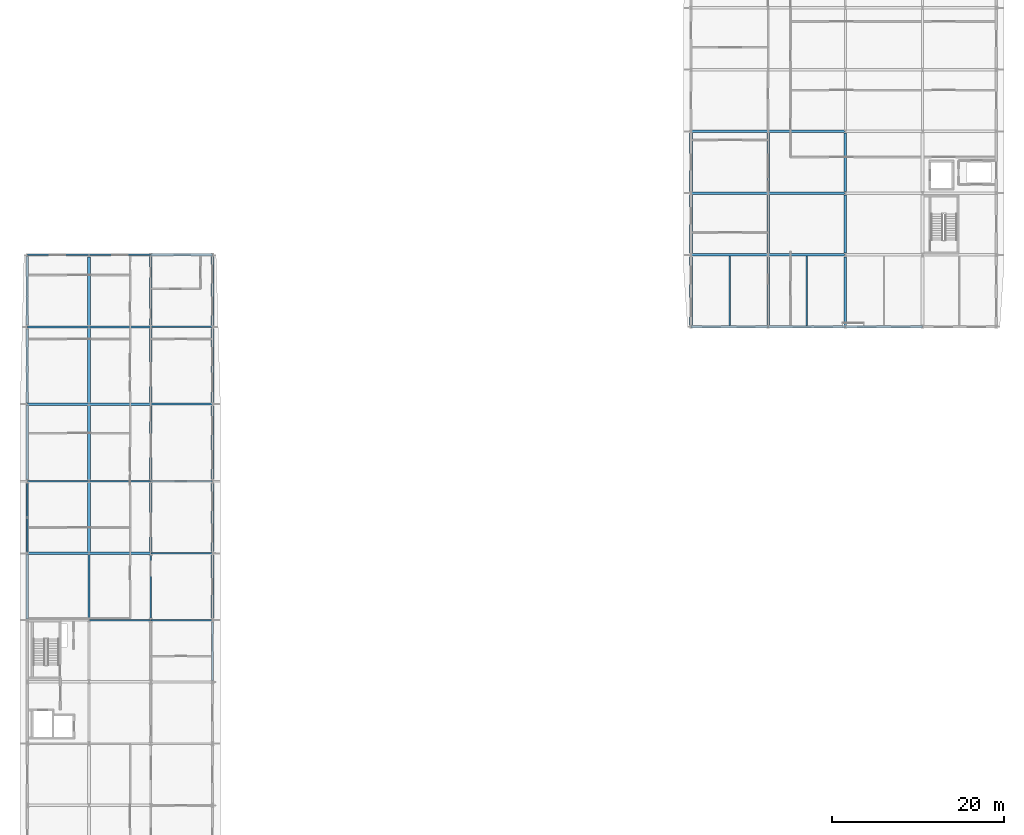
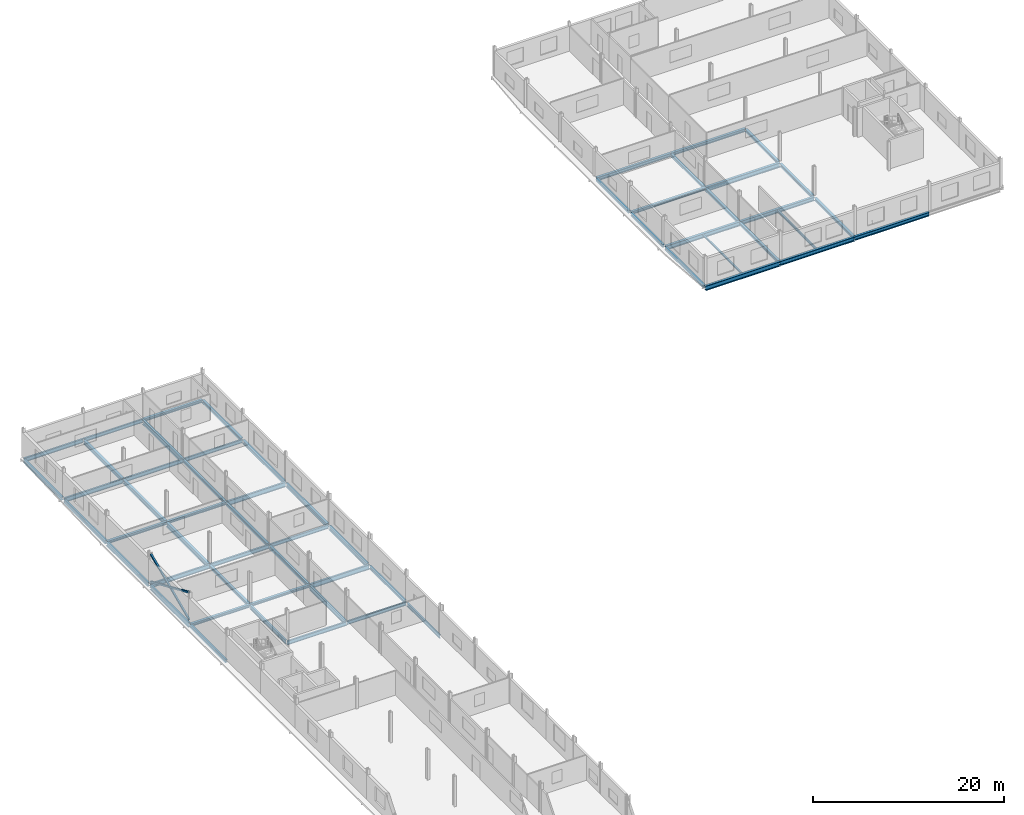
# One storey, part 10 of 30: 58 beams, 3 members.
"""IFC4 building model written with IfcOpenShell, lengths in metres."""

from ifc_helpers import new_model, si_unit, direction, frame, origin, origin_2d, place, context, subcontext, project, spatial, hollow_rectangle, i_section, extrude, material, material_profile, profile_set, type_object, element, save


model = new_model("IFC4")

# Units and contexts
model_context = context("Model", 3, precision=1e-05, world=origin(), true_north=direction((0.0, 1.0)))
body_context = subcontext(model_context, "Body", "Model", "MODEL_VIEW")
ifc_project = project(units=[si_unit("LENGTHUNIT", "METRE"), si_unit("AREAUNIT", "SQUARE_METRE"), si_unit("VOLUMEUNIT", "CUBIC_METRE"), si_unit("PLANEANGLEUNIT", "RADIAN"), si_unit("MASSUNIT", "GRAM", prefix="KILO")], contexts=[model_context])

# Site, building, storey
site_placement = place(None, origin())
site = spatial("IfcSite", under=ifc_project, at=site_placement, CompositionType="ELEMENT")
building_placement = place(site_placement, origin())
building = spatial("IfcBuilding", under=site, at=building_placement, Name="Vinh Khe Railworks Police Headquarters", CompositionType="ELEMENT")
storey_placement = place(building_placement, frame((0.0, 0.0, 21.0)))
storey = spatial("IfcBuildingStorey", under=building, at=storey_placement, Name="L05", CompositionType="ELEMENT", Elevation=21.0)

# Members
ifc_material = material(Name="Steel S355JR", Category="steel")
ifc_material_profile_1 = material_profile(ifc_material, hollow_rectangle(XDim=0.199951171875, YDim=0.199951171875, WallThickness=0.012451171875, at=origin_2d()), Name="SHS 200x200x12.5")
ifc_profile_set_1 = profile_set([ifc_material_profile_1], Name="Steel S355JR")
member_type = type_object("IfcMemberType", Name="Concentric Brace SHS 200x200x12.5", PredefinedType="BRACE", material=ifc_profile_set_1)
member_placement = place(storey_placement, frame((0.60009765625, 96.14990234375, 0.199951171875), z_axis=(0.0, 0.916524501714, 0.399978546623), x_axis=(-1.0, 0.0, 0.0)))
element("IfcMember", 1, at=member_placement, inside=storey, type_object=member_type, Name="Continuous Concentric Brace MEM-BR-L05-BR-01-040", PredefinedType="BRACE", context=body_context, shape_type="SweptSolid", body=[
    extrude(hollow_rectangle(XDim=0.199951171875, YDim=0.199951171875, WallThickness=0.012451171875, at=origin_2d()), origin(), (0.0, 0.0, 1.0), 8.75048828125),
])
for number, where, z_axis, x_axis, name in (
    (2, (0.60009765625, 96.14990234375, 3.699951171875), (0.0, 0.916541283123, -0.399940090927), (-1.0, 0.0, 0.0), "Split X-Brace Segment MEM-BR-L05-BR-01-041 (2A)"),
    (3, (0.60009765625, 100.25537109375, 1.908447265625), (0.0, 0.916511184752, -0.400009060178), (-1.0, 0.0, 0.0), "Split X-Brace Segment MEM-BR-L05-BR-01-042 (2B)"),
):
    element("IfcMember", number, at=place(storey_placement, frame(where, z_axis=z_axis, x_axis=x_axis)), inside=storey, type_object=member_type, Name=name, PredefinedType="BRACE", context=body_context, shape_type="SweptSolid", body=[
        extrude(hollow_rectangle(XDim=0.199951171875, YDim=0.199951171875, WallThickness=0.012451171875, at=origin_2d()), origin(), (0.0, 0.0, 1.0), 4.271240234375),
    ])

# Beams
ifc_material_profile_2 = material_profile(ifc_material, i_section(OverallWidth=0.179931640625, OverallDepth=0.1708984375, WebThickness=0.006103515625, FlangeThickness=0.009521484375, FilletRadius=0.014892578125, at=origin_2d()), Name="HEA 180")
ifc_profile_set_2 = profile_set([ifc_material_profile_2], Name="Steel S355JR")
beam_type_1 = type_object("IfcBeamType", Name="Secondary Joist HEA 180", PredefinedType="JOIST", material=ifc_profile_set_2)
beam_1_placement = place(storey_placement, frame((82.5, 122.550048828125, -0.285400390625), z_axis=(0.0, 1.0, 0.0), x_axis=(-1.0, 0.0, 0.0)))
element("IfcBeam", 4, at=beam_1_placement, inside=storey, type_object=beam_type_1, Name="Secondary Joist JST-L05-SJ-10-0041", PredefinedType="JOIST", context=body_context, shape_type="SweptSolid", body=[
    extrude(i_section(OverallWidth=0.179931640625, OverallDepth=0.1708984375, WebThickness=0.006103515625, FlangeThickness=0.009521484375, FilletRadius=0.014892578125, at=origin_2d()), origin(), (0.0, 0.0, 1.0), 8.099853515625),
])
ifc_material_profile_3 = material_profile(ifc_material, i_section(OverallWidth=0.14990234375, OverallDepth=0.300048828125, WebThickness=0.007080078125, FlangeThickness=0.0107421875, FilletRadius=0.014892578125, at=origin_2d()), Name="IPE 300")
ifc_profile_set_3 = profile_set([ifc_material_profile_3], Name="Steel S355JR")
beam_type_2 = type_object("IfcBeamType", Name="Secondary Joist IPE 300", PredefinedType="JOIST", material=ifc_profile_set_3)
beam_2_placement = place(storey_placement, frame((91.5, 122.550048828125, -0.35009765625), z_axis=(0.0, 1.0, 0.0), x_axis=(-1.0, 0.0, 0.0)))
element("IfcBeam", 5, at=beam_2_placement, inside=storey, type_object=beam_type_2, Name="Secondary Joist JST-L05-SJ-02-0042", PredefinedType="JOIST", context=body_context, shape_type="SweptSolid", body=[
    extrude(i_section(OverallWidth=0.14990234375, OverallDepth=0.300048828125, WebThickness=0.007080078125, FlangeThickness=0.0107421875, FilletRadius=0.014892578125, at=origin_2d()), origin(), (0.0, 0.0, 1.0), 8.099853515625),
])
ifc_material_profile_4 = material_profile(ifc_material, i_section(OverallWidth=0.300048828125, OverallDepth=0.330078125, WebThickness=0.009521484375, FlangeThickness=0.0166015625, FilletRadius=0.027099609375, at=origin_2d()), Name="HEA 340")
ifc_profile_set_4 = profile_set([ifc_material_profile_4], Name="Steel S355JR")
beam_type_3 = type_object("IfcBeamType", Name="Steel Girder HEA 340", PredefinedType="BEAM", material=ifc_profile_set_4)
for number, where, z_axis, x_axis, name in (
    (6, (7.820068359375, 96.0, -0.364990234375), (1.0, 0.0, 0.0), (0.0, 1.0, 0.0), "Girder BM-L05-EW-SB-16-1532"),
    (7, (7.820068359375, 113.39990234375, -0.364990234375), (1.0, 0.0, 0.0), (0.0, 1.0, 0.0), "Girder BM-L05-EW-SB-16-1538"),
):
    element("IfcBeam", number, at=place(storey_placement, frame(where, z_axis=z_axis, x_axis=x_axis)), inside=storey, type_object=beam_type_3, Name=name, PredefinedType="BEAM", context=body_context, shape_type="SweptSolid", body=[
        extrude(i_section(OverallWidth=0.300048828125, OverallDepth=0.330078125, WebThickness=0.009521484375, FlangeThickness=0.0166015625, FilletRadius=0.027099609375, at=origin_2d()), origin(), (0.0, 0.0, 1.0), 7.159912109375),
    ])
for number, where, z_axis, x_axis, name in (
    (8, (78.0, 138.199951171875, -0.364990234375), (0.0, 1.0, 0.0), (-1.0, 0.0, 0.0), "Girder BM-L05-NS-SB-16-1640"),
    (9, (87.0, 138.199951171875, -0.364990234375), (0.0, 1.0, 0.0), (-1.0, 0.0, 0.0), "Girder BM-L05-NS-SB-16-1646"),
    (10, (96.0, 138.199951171875, -0.364990234375), (0.0, 1.0, 0.0), (-1.0, 0.0, 0.0), "Girder BM-L05-NS-SB-16-1652"),
):
    element("IfcBeam", number, at=place(storey_placement, frame(where, z_axis=z_axis, x_axis=x_axis)), inside=storey, type_object=beam_type_3, Name=name, PredefinedType="BEAM", context=body_context, shape_type="SweptSolid", body=[
        extrude(i_section(OverallWidth=0.300048828125, OverallDepth=0.330078125, WebThickness=0.009521484375, FlangeThickness=0.0166015625, FilletRadius=0.027099609375, at=origin_2d()), origin(), (0.0, 0.0, 1.0), 6.824951171875),
    ])
ifc_material_profile_5 = material_profile(ifc_material, i_section(OverallWidth=0.300048828125, OverallDepth=0.35009765625, WebThickness=0.010009765625, FlangeThickness=0.017578125, FilletRadius=0.027099609375, at=origin_2d()), Name="HEA 360")
ifc_profile_set_5 = profile_set([ifc_material_profile_5], Name="Steel S355JR")
beam_type_4 = type_object("IfcBeamType", Name="Steel Girder HEA 360", PredefinedType="BEAM", material=ifc_profile_set_5)
for number, where, z_axis, x_axis, name in (
    (11, (0.6201171875, 96.0, -0.375), (1.0, 0.0, 0.0), (0.0, 1.0, 0.0), "Girder BM-L05-EW-SB-15-1531"),
    (12, (0.6201171875, 113.39990234375, -0.375), (1.0, 0.0, 0.0), (0.0, 1.0, 0.0), "Girder BM-L05-EW-SB-15-1537"),
    (13, (15.02001953125, 130.800048828125, -0.375), (1.0, 0.0, 0.0), (0.0, 1.0, 0.0), "Girder BM-L05-EW-SB-15-1549"),
):
    element("IfcBeam", number, at=place(storey_placement, frame(where, z_axis=z_axis, x_axis=x_axis)), inside=storey, type_object=beam_type_4, Name=name, PredefinedType="BEAM", context=body_context, shape_type="SweptSolid", body=[
        extrude(i_section(OverallWidth=0.300048828125, OverallDepth=0.35009765625, WebThickness=0.010009765625, FlangeThickness=0.017578125, FilletRadius=0.027099609375, at=origin_2d()), origin(), (0.0, 0.0, 1.0), 7.159912109375),
    ])
beam_3_placement = place(storey_placement, frame((78.02001953125, 138.0, -0.375), z_axis=(1.0, 0.0, 0.0), x_axis=(0.0, 1.0, 0.0)))
element("IfcBeam", 14, at=beam_3_placement, inside=storey, type_object=beam_type_4, Name="Girder BM-L05-EW-SB-15-1554", PredefinedType="BEAM", context=body_context, shape_type="SweptSolid", body=[
    extrude(i_section(OverallWidth=0.300048828125, OverallDepth=0.35009765625, WebThickness=0.010009765625, FlangeThickness=0.017578125, FilletRadius=0.027099609375, at=origin_2d()), origin(), (0.0, 0.0, 1.0), 8.9599609375),
])
beam_4_placement = place(storey_placement, frame((0.60009765625, 88.360107421875, -0.375), z_axis=(0.0, 1.0, 0.0), x_axis=(-1.0, 0.0, 0.0)))
element("IfcBeam", 15, at=beam_4_placement, inside=storey, type_object=beam_type_4, Name="Girder BM-L05-NS-SB-15-1585", PredefinedType="BEAM", context=body_context, shape_type="SweptSolid", body=[
    extrude(i_section(OverallWidth=0.300048828125, OverallDepth=0.35009765625, WebThickness=0.010009765625, FlangeThickness=0.017578125, FilletRadius=0.027099609375, at=origin_2d()), origin(), (0.0, 0.0, 1.0), 7.489990234375),
])
beam_5_placement = place(storey_placement, frame((7.800048828125, 96.159912109375, -0.375), z_axis=(0.0, 1.0, 0.0), x_axis=(-1.0, 0.0, 0.0)))
element("IfcBeam", 16, at=beam_5_placement, inside=storey, type_object=beam_type_4, Name="Girder BM-L05-NS-SB-15-1602", PredefinedType="BEAM", context=body_context, shape_type="SweptSolid", body=[
    extrude(i_section(OverallWidth=0.300048828125, OverallDepth=0.35009765625, WebThickness=0.010009765625, FlangeThickness=0.017578125, FilletRadius=0.027099609375, at=origin_2d()), origin(), (0.0, 0.0, 1.0), 8.090087890625),
])
beam_6_placement = place(storey_placement, frame((15.0, 113.574951171875, -0.375), z_axis=(0.0, 1.0, 0.0), x_axis=(-1.0, 0.0, 0.0)))
element("IfcBeam", 17, at=beam_6_placement, inside=storey, type_object=beam_type_4, Name="Girder BM-L05-NS-SB-15-1620", PredefinedType="BEAM", context=body_context, shape_type="SweptSolid", body=[
    extrude(i_section(OverallWidth=0.300048828125, OverallDepth=0.35009765625, WebThickness=0.010009765625, FlangeThickness=0.017578125, FilletRadius=0.027099609375, at=origin_2d()), origin(), (0.0, 0.0, 1.0), 8.695068359375),
])
beam_7_placement = place(storey_placement, frame((22.199951171875, 88.429931640625, -0.375), z_axis=(0.0, 1.0, 0.0), x_axis=(-1.0, 0.0, 0.0)))
element("IfcBeam", 18, at=beam_7_placement, inside=storey, type_object=beam_type_4, Name="Girder BM-L05-NS-SB-15-1633", PredefinedType="BEAM", context=body_context, shape_type="SweptSolid", body=[
    extrude(i_section(OverallWidth=0.300048828125, OverallDepth=0.35009765625, WebThickness=0.010009765625, FlangeThickness=0.017578125, FilletRadius=0.027099609375, at=origin_2d()), origin(), (0.0, 0.0, 1.0), 7.364990234375),
])
beam_8_placement = place(storey_placement, frame((78.0, 122.510009765625, -0.375), z_axis=(0.0, 1.0, 0.0), x_axis=(-1.0, 0.0, 0.0)))
element("IfcBeam", 19, at=beam_8_placement, inside=storey, type_object=beam_type_4, Name="Girder BM-L05-NS-SB-15-1638", PredefinedType="BEAM", context=body_context, shape_type="SweptSolid", body=[
    extrude(i_section(OverallWidth=0.300048828125, OverallDepth=0.35009765625, WebThickness=0.010009765625, FlangeThickness=0.017578125, FilletRadius=0.027099609375, at=origin_2d()), origin(), (0.0, 0.0, 1.0), 8.06494140625),
])
beam_9_placement = place(storey_placement, frame((78.0, 131.02490234375, -0.375), z_axis=(0.0, 1.0, 0.0), x_axis=(-1.0, 0.0, 0.0)))
element("IfcBeam", 20, at=beam_9_placement, inside=storey, type_object=beam_type_4, Name="Girder BM-L05-NS-SB-15-1639", PredefinedType="BEAM", context=body_context, shape_type="SweptSolid", body=[
    extrude(i_section(OverallWidth=0.300048828125, OverallDepth=0.35009765625, WebThickness=0.010009765625, FlangeThickness=0.017578125, FilletRadius=0.027099609375, at=origin_2d()), origin(), (0.0, 0.0, 1.0), 6.775146484375),
])
beam_10_placement = place(storey_placement, frame((87.0, 122.510009765625, -0.375), z_axis=(0.0, 1.0, 0.0), x_axis=(-1.0, 0.0, 0.0)))
element("IfcBeam", 21, at=beam_10_placement, inside=storey, type_object=beam_type_4, Name="Girder BM-L05-NS-SB-15-1644", PredefinedType="BEAM", context=body_context, shape_type="SweptSolid", body=[
    extrude(i_section(OverallWidth=0.300048828125, OverallDepth=0.35009765625, WebThickness=0.010009765625, FlangeThickness=0.017578125, FilletRadius=0.027099609375, at=origin_2d()), origin(), (0.0, 0.0, 1.0), 8.06494140625),
])
beam_11_placement = place(storey_placement, frame((87.0, 131.02490234375, -0.375), z_axis=(0.0, 1.0, 0.0), x_axis=(-1.0, 0.0, 0.0)))
element("IfcBeam", 22, at=beam_11_placement, inside=storey, type_object=beam_type_4, Name="Girder BM-L05-NS-SB-15-1645", PredefinedType="BEAM", context=body_context, shape_type="SweptSolid", body=[
    extrude(i_section(OverallWidth=0.300048828125, OverallDepth=0.35009765625, WebThickness=0.010009765625, FlangeThickness=0.017578125, FilletRadius=0.027099609375, at=origin_2d()), origin(), (0.0, 0.0, 1.0), 6.775146484375),
])
beam_12_placement = place(storey_placement, frame((96.0, 122.510009765625, -0.375), z_axis=(0.0, 1.0, 0.0), x_axis=(-1.0, 0.0, 0.0)))
element("IfcBeam", 23, at=beam_12_placement, inside=storey, type_object=beam_type_4, Name="Girder BM-L05-NS-SB-15-1650", PredefinedType="BEAM", context=body_context, shape_type="SweptSolid", body=[
    extrude(i_section(OverallWidth=0.300048828125, OverallDepth=0.35009765625, WebThickness=0.010009765625, FlangeThickness=0.017578125, FilletRadius=0.027099609375, at=origin_2d()), origin(), (0.0, 0.0, 1.0), 8.06494140625),
])
beam_13_placement = place(storey_placement, frame((96.0, 131.02490234375, -0.375), z_axis=(0.0, 1.0, 0.0), x_axis=(-1.0, 0.0, 0.0)))
element("IfcBeam", 24, at=beam_13_placement, inside=storey, type_object=beam_type_4, Name="Girder BM-L05-NS-SB-15-1651", PredefinedType="BEAM", context=body_context, shape_type="SweptSolid", body=[
    extrude(i_section(OverallWidth=0.300048828125, OverallDepth=0.35009765625, WebThickness=0.010009765625, FlangeThickness=0.017578125, FilletRadius=0.027099609375, at=origin_2d()), origin(), (0.0, 0.0, 1.0), 6.775146484375),
])
ifc_material_profile_6 = material_profile(ifc_material, i_section(OverallWidth=0.300048828125, OverallDepth=0.389892578125, WebThickness=0.010986328125, FlangeThickness=0.01904296875, FilletRadius=0.027099609375, at=origin_2d()), Name="HEA 400")
ifc_profile_set_6 = profile_set([ifc_material_profile_6], Name="Steel S355JR")
beam_type_5 = type_object("IfcBeamType", Name="Steel Girder HEA 400", PredefinedType="BEAM", material=ifc_profile_set_6)
beam_14_placement = place(storey_placement, frame((87.02001953125, 145.199951171875, -0.39501953125), z_axis=(1.0, 0.0, 0.0), x_axis=(0.0, 1.0, 0.0)))
element("IfcBeam", 25, at=beam_14_placement, inside=storey, type_object=beam_type_5, Name="Girder BM-L05-EW-SB-14-1559", PredefinedType="BEAM", context=body_context, shape_type="SweptSolid", body=[
    extrude(i_section(OverallWidth=0.300048828125, OverallDepth=0.389892578125, WebThickness=0.010986328125, FlangeThickness=0.01904296875, FilletRadius=0.027099609375, at=origin_2d()), origin(), (0.0, 0.0, 1.0), 8.9599609375),
])
beam_15_placement = place(storey_placement, frame((0.60009765625, 122.625, -0.39501953125), z_axis=(0.0, 1.0, 0.0), x_axis=(-1.0, 0.0, 0.0)))
element("IfcBeam", 26, at=beam_15_placement, inside=storey, type_object=beam_type_5, Name="Girder BM-L05-NS-SB-14-1589", PredefinedType="BEAM", context=body_context, shape_type="SweptSolid", body=[
    extrude(i_section(OverallWidth=0.300048828125, OverallDepth=0.389892578125, WebThickness=0.010986328125, FlangeThickness=0.01904296875, FilletRadius=0.027099609375, at=origin_2d()), origin(), (0.0, 0.0, 1.0), 7.97509765625),
])
beam_16_placement = place(storey_placement, frame((15.0, 104.56005859375, -0.39501953125), z_axis=(0.0, 1.0, 0.0), x_axis=(-1.0, 0.0, 0.0)))
element("IfcBeam", 27, at=beam_16_placement, inside=storey, type_object=beam_type_5, Name="Girder BM-L05-NS-SB-14-1619", PredefinedType="BEAM", context=body_context, shape_type="SweptSolid", body=[
    extrude(i_section(OverallWidth=0.300048828125, OverallDepth=0.389892578125, WebThickness=0.010986328125, FlangeThickness=0.01904296875, FilletRadius=0.027099609375, at=origin_2d()), origin(), (0.0, 0.0, 1.0), 8.6650390625),
])
beam_17_placement = place(storey_placement, frame((22.199951171875, 122.574951171875, -0.39501953125), z_axis=(0.0, 1.0, 0.0), x_axis=(-1.0, 0.0, 0.0)))
element("IfcBeam", 28, at=beam_17_placement, inside=storey, type_object=beam_type_5, Name="Girder BM-L05-NS-SB-14-1637", PredefinedType="BEAM", context=body_context, shape_type="SweptSolid", body=[
    extrude(i_section(OverallWidth=0.300048828125, OverallDepth=0.389892578125, WebThickness=0.010986328125, FlangeThickness=0.01904296875, FilletRadius=0.027099609375, at=origin_2d()), origin(), (0.0, 0.0, 1.0), 8.094970703125),
])
ifc_material_profile_7 = material_profile(ifc_material, i_section(OverallWidth=0.300048828125, OverallDepth=0.43994140625, WebThickness=0.011474609375, FlangeThickness=0.02099609375, FilletRadius=0.027099609375, at=origin_2d()), Name="HEA 450")
ifc_profile_set_7 = profile_set([ifc_material_profile_7], Name="Steel S355JR")
beam_type_6 = type_object("IfcBeamType", Name="Steel Girder HEA 450", PredefinedType="BEAM", material=ifc_profile_set_7)
beam_18_placement = place(storey_placement, frame((78.02001953125, 145.199951171875, -0.419921875), z_axis=(1.0, 0.0, 0.0), x_axis=(0.0, 1.0, 0.0)))
element("IfcBeam", 29, at=beam_18_placement, inside=storey, type_object=beam_type_6, Name="Girder BM-L05-EW-SB-13-1558", PredefinedType="BEAM", context=body_context, shape_type="SweptSolid", body=[
    extrude(i_section(OverallWidth=0.300048828125, OverallDepth=0.43994140625, WebThickness=0.011474609375, FlangeThickness=0.02099609375, FilletRadius=0.027099609375, at=origin_2d()), origin(), (0.0, 0.0, 1.0), 8.9599609375),
])
beam_19_placement = place(storey_placement, frame((0.60009765625, 113.510009765625, -0.419921875), z_axis=(0.0, 1.0, 0.0), x_axis=(-1.0, 0.0, 0.0)))
element("IfcBeam", 30, at=beam_19_placement, inside=storey, type_object=beam_type_6, Name="Girder BM-L05-NS-SB-13-1588", PredefinedType="BEAM", context=body_context, shape_type="SweptSolid", body=[
    extrude(i_section(OverallWidth=0.300048828125, OverallDepth=0.43994140625, WebThickness=0.011474609375, FlangeThickness=0.02099609375, FilletRadius=0.027099609375, at=origin_2d()), origin(), (0.0, 0.0, 1.0), 8.6650390625),
])
beam_20_placement = place(storey_placement, frame((15.0, 96.179931640625, -0.419921875), z_axis=(0.0, 1.0, 0.0), x_axis=(-1.0, 0.0, 0.0)))
element("IfcBeam", 31, at=beam_20_placement, inside=storey, type_object=beam_type_6, Name="Girder BM-L05-NS-SB-13-1618", PredefinedType="BEAM", context=body_context, shape_type="SweptSolid", body=[
    extrude(i_section(OverallWidth=0.300048828125, OverallDepth=0.43994140625, WebThickness=0.011474609375, FlangeThickness=0.02099609375, FilletRadius=0.027099609375, at=origin_2d()), origin(), (0.0, 0.0, 1.0), 8.06005859375),
])
beam_21_placement = place(storey_placement, frame((22.199951171875, 113.60009765625, -0.419921875), z_axis=(0.0, 1.0, 0.0), x_axis=(-1.0, 0.0, 0.0)))
element("IfcBeam", 32, at=beam_21_placement, inside=storey, type_object=beam_type_6, Name="Girder BM-L05-NS-SB-13-1636", PredefinedType="BEAM", context=body_context, shape_type="SweptSolid", body=[
    extrude(i_section(OverallWidth=0.300048828125, OverallDepth=0.43994140625, WebThickness=0.011474609375, FlangeThickness=0.02099609375, FilletRadius=0.027099609375, at=origin_2d()), origin(), (0.0, 0.0, 1.0), 8.625),
])
ifc_material_profile_8 = material_profile(ifc_material, i_section(OverallWidth=0.300048828125, OverallDepth=0.489990234375, WebThickness=0.011962890625, FlangeThickness=0.02294921875, FilletRadius=0.027099609375, at=origin_2d()), Name="HEA 500")
ifc_profile_set_8 = profile_set([ifc_material_profile_8], Name="Steel S355JR")
beam_type_7 = type_object("IfcBeamType", Name="Steel Girder HEA 500", PredefinedType="BEAM", material=ifc_profile_set_8)
for number, where, z_axis, x_axis, name in (
    (33, (96.02001953125, 122.39990234375, -0.445068359375), (1.0, 0.0, 0.0), (0.0, 1.0, 0.0), "Girder BM-L05-EW-SB-12-1545"),
    (34, (87.02001953125, 130.800048828125, -0.445068359375), (1.0, 0.0, 0.0), (0.0, 1.0, 0.0), "Girder BM-L05-EW-SB-12-1551"),
):
    element("IfcBeam", number, at=place(storey_placement, frame(where, z_axis=z_axis, x_axis=x_axis)), inside=storey, type_object=beam_type_7, Name=name, PredefinedType="BEAM", context=body_context, shape_type="SweptSolid", body=[
        extrude(i_section(OverallWidth=0.300048828125, OverallDepth=0.489990234375, WebThickness=0.011962890625, FlangeThickness=0.02294921875, FilletRadius=0.027099609375, at=origin_2d()), origin(), (0.0, 0.0, 1.0), 8.9599609375),
    ])
beam_22_placement = place(storey_placement, frame((0.60009765625, 104.6298828125, -0.445068359375), z_axis=(0.0, 1.0, 0.0), x_axis=(-1.0, 0.0, 0.0)))
element("IfcBeam", 35, at=beam_22_placement, inside=storey, type_object=beam_type_7, Name="Girder BM-L05-NS-SB-12-1587", PredefinedType="BEAM", context=body_context, shape_type="SweptSolid", body=[
    extrude(i_section(OverallWidth=0.300048828125, OverallDepth=0.489990234375, WebThickness=0.011962890625, FlangeThickness=0.02294921875, FilletRadius=0.027099609375, at=origin_2d()), origin(), (0.0, 0.0, 1.0), 8.66015625),
])
beam_23_placement = place(storey_placement, frame((7.800048828125, 122.510009765625, -0.445068359375), z_axis=(0.0, 1.0, 0.0), x_axis=(-1.0, 0.0, 0.0)))
element("IfcBeam", 36, at=beam_23_placement, inside=storey, type_object=beam_type_7, Name="Girder BM-L05-NS-SB-12-1605", PredefinedType="BEAM", context=body_context, shape_type="SweptSolid", body=[
    extrude(i_section(OverallWidth=0.300048828125, OverallDepth=0.489990234375, WebThickness=0.011962890625, FlangeThickness=0.02294921875, FilletRadius=0.027099609375, at=origin_2d()), origin(), (0.0, 0.0, 1.0), 8.06494140625),
])
beam_24_placement = place(storey_placement, frame((22.199951171875, 104.580078125, -0.445068359375), z_axis=(0.0, 1.0, 0.0), x_axis=(-1.0, 0.0, 0.0)))
element("IfcBeam", 37, at=beam_24_placement, inside=storey, type_object=beam_type_7, Name="Girder BM-L05-NS-SB-12-1635", PredefinedType="BEAM", context=body_context, shape_type="SweptSolid", body=[
    extrude(i_section(OverallWidth=0.300048828125, OverallDepth=0.489990234375, WebThickness=0.011962890625, FlangeThickness=0.02294921875, FilletRadius=0.027099609375, at=origin_2d()), origin(), (0.0, 0.0, 1.0), 8.619873046875),
])
ifc_material_profile_9 = material_profile(ifc_material, i_section(OverallWidth=0.300048828125, OverallDepth=0.5400390625, WebThickness=0.012451171875, FlangeThickness=0.02392578125, FilletRadius=0.027099609375, at=origin_2d()), Name="HEA 550")
ifc_profile_set_9 = profile_set([ifc_material_profile_9], Name="Steel S355JR")
beam_type_8 = type_object("IfcBeamType", Name="Steel Girder HEA 550", PredefinedType="BEAM", material=ifc_profile_set_9)
for number, where, z_axis, x_axis, name in (
    (38, (87.02001953125, 122.39990234375, -0.469970703125), (1.0, 0.0, 0.0), (0.0, 1.0, 0.0), "Girder BM-L05-EW-SB-11-1544"),
    (39, (78.02001953125, 130.800048828125, -0.469970703125), (1.0, 0.0, 0.0), (0.0, 1.0, 0.0), "Girder BM-L05-EW-SB-11-1550"),
):
    element("IfcBeam", number, at=place(storey_placement, frame(where, z_axis=z_axis, x_axis=x_axis)), inside=storey, type_object=beam_type_8, Name=name, PredefinedType="BEAM", context=body_context, shape_type="SweptSolid", body=[
        extrude(i_section(OverallWidth=0.300048828125, OverallDepth=0.5400390625, WebThickness=0.012451171875, FlangeThickness=0.02392578125, FilletRadius=0.027099609375, at=origin_2d()), origin(), (0.0, 0.0, 1.0), 8.9599609375),
    ])
beam_25_placement = place(storey_placement, frame((0.60009765625, 96.14990234375, -0.469970703125), z_axis=(0.0, 1.0, 0.0), x_axis=(-1.0, 0.0, 0.0)))
element("IfcBeam", 40, at=beam_25_placement, inside=storey, type_object=beam_type_8, Name="Girder BM-L05-NS-SB-11-1586", PredefinedType="BEAM", context=body_context, shape_type="SweptSolid", body=[
    extrude(i_section(OverallWidth=0.300048828125, OverallDepth=0.5400390625, WebThickness=0.012451171875, FlangeThickness=0.02392578125, FilletRadius=0.027099609375, at=origin_2d()), origin(), (0.0, 0.0, 1.0), 8.02001953125),
])
beam_26_placement = place(storey_placement, frame((7.800048828125, 113.530029296875, -0.469970703125), z_axis=(0.0, 1.0, 0.0), x_axis=(-1.0, 0.0, 0.0)))
element("IfcBeam", 41, at=beam_26_placement, inside=storey, type_object=beam_type_8, Name="Girder BM-L05-NS-SB-11-1604", PredefinedType="BEAM", context=body_context, shape_type="SweptSolid", body=[
    extrude(i_section(OverallWidth=0.300048828125, OverallDepth=0.5400390625, WebThickness=0.012451171875, FlangeThickness=0.02392578125, FilletRadius=0.027099609375, at=origin_2d()), origin(), (0.0, 0.0, 1.0), 8.760009765625),
])
beam_27_placement = place(storey_placement, frame((22.199951171875, 96.205078125, -0.469970703125), z_axis=(0.0, 1.0, 0.0), x_axis=(-1.0, 0.0, 0.0)))
element("IfcBeam", 42, at=beam_27_placement, inside=storey, type_object=beam_type_8, Name="Girder BM-L05-NS-SB-11-1634", PredefinedType="BEAM", context=body_context, shape_type="SweptSolid", body=[
    extrude(i_section(OverallWidth=0.300048828125, OverallDepth=0.5400390625, WebThickness=0.012451171875, FlangeThickness=0.02392578125, FilletRadius=0.027099609375, at=origin_2d()), origin(), (0.0, 0.0, 1.0), 8.014892578125),
])
ifc_material_profile_10 = material_profile(ifc_material, i_section(OverallWidth=0.300048828125, OverallDepth=0.590087890625, WebThickness=0.012939453125, FlangeThickness=0.02490234375, FilletRadius=0.027099609375, at=origin_2d()), Name="HEA 600")
ifc_profile_set_10 = profile_set([ifc_material_profile_10], Name="Steel S355JR")
beam_type_9 = type_object("IfcBeamType", Name="Steel Girder HEA 600", PredefinedType="BEAM", material=ifc_profile_set_10)
for number, where, z_axis, x_axis, name in (
    (43, (78.02001953125, 122.39990234375, -0.4951171875), (1.0, 0.0, 0.0), (0.0, 1.0, 0.0), "Girder BM-L05-EW-SB-10-1543"),
    (44, (87.02001953125, 138.0, -0.4951171875), (1.0, 0.0, 0.0), (0.0, 1.0, 0.0), "Girder BM-L05-EW-SB-10-1555"),
):
    element("IfcBeam", number, at=place(storey_placement, frame(where, z_axis=z_axis, x_axis=x_axis)), inside=storey, type_object=beam_type_9, Name=name, PredefinedType="BEAM", context=body_context, shape_type="SweptSolid", body=[
        extrude(i_section(OverallWidth=0.300048828125, OverallDepth=0.590087890625, WebThickness=0.012939453125, FlangeThickness=0.02490234375, FilletRadius=0.027099609375, at=origin_2d()), origin(), (0.0, 0.0, 1.0), 8.9599609375),
    ])
beam_28_placement = place(storey_placement, frame((7.800048828125, 104.550048828125, -0.4951171875), z_axis=(0.0, 1.0, 0.0), x_axis=(-1.0, 0.0, 0.0)))
element("IfcBeam", 45, at=beam_28_placement, inside=storey, type_object=beam_type_9, Name="Girder BM-L05-NS-SB-10-1603", PredefinedType="BEAM", context=body_context, shape_type="SweptSolid", body=[
    extrude(i_section(OverallWidth=0.300048828125, OverallDepth=0.590087890625, WebThickness=0.012939453125, FlangeThickness=0.02490234375, FilletRadius=0.027099609375, at=origin_2d()), origin(), (0.0, 0.0, 1.0), 8.719970703125),
])
beam_29_placement = place(storey_placement, frame((15.0, 122.530029296875, -0.4951171875), z_axis=(0.0, 1.0, 0.0), x_axis=(-1.0, 0.0, 0.0)))
element("IfcBeam", 46, at=beam_29_placement, inside=storey, type_object=beam_type_9, Name="Girder BM-L05-NS-SB-10-1621", PredefinedType="BEAM", context=body_context, shape_type="SweptSolid", body=[
    extrude(i_section(OverallWidth=0.300048828125, OverallDepth=0.590087890625, WebThickness=0.012939453125, FlangeThickness=0.02490234375, FilletRadius=0.027099609375, at=origin_2d()), origin(), (0.0, 0.0, 1.0), 8.159912109375),
])
ifc_material_profile_11 = material_profile(ifc_material, i_section(OverallWidth=0.18994140625, OverallDepth=0.449951171875, WebThickness=0.009521484375, FlangeThickness=0.0146484375, FilletRadius=0.02099609375, at=origin_2d()), Name="IPE 450")
ifc_profile_set_11 = profile_set([ifc_material_profile_11], Name="Steel S355JR")
beam_type_10 = type_object("IfcBeamType", Name="Steel Girder IPE 450", PredefinedType="BEAM", material=ifc_profile_set_11)
for number, where, z_axis, x_axis, name in (
    (47, (15.02001953125, 88.199951171875, -0.425048828125), (1.0, 0.0, 0.0), (0.0, 1.0, 0.0), "Girder BM-L05-EW-SB-20-1530"),
    (48, (15.02001953125, 104.39990234375, -0.425048828125), (1.0, 0.0, 0.0), (0.0, 1.0, 0.0), "Girder BM-L05-EW-SB-20-1536"),
    (49, (15.02001953125, 122.39990234375, -0.425048828125), (1.0, 0.0, 0.0), (0.0, 1.0, 0.0), "Girder BM-L05-EW-SB-20-1542"),
    (50, (7.820068359375, 130.800048828125, -0.425048828125), (1.0, 0.0, 0.0), (0.0, 1.0, 0.0), "Girder BM-L05-EW-SB-20-1548"),
):
    element("IfcBeam", number, at=place(storey_placement, frame(where, z_axis=z_axis, x_axis=x_axis)), inside=storey, type_object=beam_type_10, Name=name, PredefinedType="BEAM", context=body_context, shape_type="SweptSolid", body=[
        extrude(i_section(OverallWidth=0.18994140625, OverallDepth=0.449951171875, WebThickness=0.009521484375, FlangeThickness=0.0146484375, FilletRadius=0.02099609375, at=origin_2d()), origin(), (0.0, 0.0, 1.0), 7.159912109375),
    ])
beam_30_placement = place(storey_placement, frame((22.199951171875, 81.14990234375, -0.425048828125), z_axis=(0.0, 1.0, 0.0), x_axis=(-1.0, 0.0, 0.0)))
element("IfcBeam", 51, at=beam_30_placement, inside=storey, type_object=beam_type_10, Name="Girder BM-L05-NS-SB-20-1632", PredefinedType="BEAM", context=body_context, shape_type="SweptSolid", body=[
    extrude(i_section(OverallWidth=0.18994140625, OverallDepth=0.449951171875, WebThickness=0.009521484375, FlangeThickness=0.0146484375, FilletRadius=0.02099609375, at=origin_2d()), origin(), (0.0, 0.0, 1.0), 6.820068359375),
])
ifc_material_profile_12 = material_profile(ifc_material, i_section(OverallWidth=0.199951171875, OverallDepth=0.5, WebThickness=0.01025390625, FlangeThickness=0.01611328125, FilletRadius=0.02099609375, at=origin_2d()), Name="IPE 500")
ifc_profile_set_12 = profile_set([ifc_material_profile_12], Name="Steel S355JR")
beam_type_11 = type_object("IfcBeamType", Name="Steel Girder IPE 500", PredefinedType="BEAM", material=ifc_profile_set_12)
for number, where, z_axis, x_axis, name in (
    (52, (7.820068359375, 88.199951171875, -0.449951171875), (1.0, 0.0, 0.0), (0.0, 1.0, 0.0), "Girder BM-L05-EW-SB-19-1529"),
    (53, (7.820068359375, 104.39990234375, -0.449951171875), (1.0, 0.0, 0.0), (0.0, 1.0, 0.0), "Girder BM-L05-EW-SB-19-1535"),
    (54, (7.820068359375, 122.39990234375, -0.449951171875), (1.0, 0.0, 0.0), (0.0, 1.0, 0.0), "Girder BM-L05-EW-SB-19-1541"),
    (55, (0.6201171875, 130.800048828125, -0.449951171875), (1.0, 0.0, 0.0), (0.0, 1.0, 0.0), "Girder BM-L05-EW-SB-19-1547"),
):
    element("IfcBeam", number, at=place(storey_placement, frame(where, z_axis=z_axis, x_axis=x_axis)), inside=storey, type_object=beam_type_11, Name=name, PredefinedType="BEAM", context=body_context, shape_type="SweptSolid", body=[
        extrude(i_section(OverallWidth=0.199951171875, OverallDepth=0.5, WebThickness=0.01025390625, FlangeThickness=0.01611328125, FilletRadius=0.02099609375, at=origin_2d()), origin(), (0.0, 0.0, 1.0), 7.159912109375),
    ])
beam_31_placement = place(storey_placement, frame((7.800048828125, 88.3798828125, -0.449951171875), z_axis=(0.0, 1.0, 0.0), x_axis=(-1.0, 0.0, 0.0)))
element("IfcBeam", 56, at=beam_31_placement, inside=storey, type_object=beam_type_11, Name="Girder BM-L05-NS-SB-19-1601", PredefinedType="BEAM", context=body_context, shape_type="SweptSolid", body=[
    extrude(i_section(OverallWidth=0.199951171875, OverallDepth=0.5, WebThickness=0.01025390625, FlangeThickness=0.01611328125, FilletRadius=0.02099609375, at=origin_2d()), origin(), (0.0, 0.0, 1.0), 7.460205078125),
])
ifc_material_profile_13 = material_profile(ifc_material, i_section(OverallWidth=0.2099609375, OverallDepth=0.550048828125, WebThickness=0.010986328125, FlangeThickness=0.01708984375, FilletRadius=0.02392578125, at=origin_2d()), Name="IPE 550")
ifc_profile_set_13 = profile_set([ifc_material_profile_13], Name="Steel S355JR")
beam_type_12 = type_object("IfcBeamType", Name="Steel Girder IPE 550", PredefinedType="BEAM", material=ifc_profile_set_13)
for number, where, z_axis, x_axis, name in (
    (57, (0.6201171875, 104.39990234375, -0.47509765625), (1.0, 0.0, 0.0), (0.0, 1.0, 0.0), "Girder BM-L05-EW-SB-18-1534"),
    (58, (0.6201171875, 122.39990234375, -0.47509765625), (1.0, 0.0, 0.0), (0.0, 1.0, 0.0), "Girder BM-L05-EW-SB-18-1540"),
):
    element("IfcBeam", number, at=place(storey_placement, frame(where, z_axis=z_axis, x_axis=x_axis)), inside=storey, type_object=beam_type_12, Name=name, PredefinedType="BEAM", context=body_context, shape_type="SweptSolid", body=[
        extrude(i_section(OverallWidth=0.2099609375, OverallDepth=0.550048828125, WebThickness=0.010986328125, FlangeThickness=0.01708984375, FilletRadius=0.02392578125, at=origin_2d()), origin(), (0.0, 0.0, 1.0), 7.159912109375),
    ])
ifc_material_profile_14 = material_profile(ifc_material, i_section(OverallWidth=0.219970703125, OverallDepth=0.60009765625, WebThickness=0.011962890625, FlangeThickness=0.01904296875, FilletRadius=0.02392578125, at=origin_2d()), Name="IPE 600")
ifc_profile_set_14 = profile_set([ifc_material_profile_14], Name="Steel S355JR")
beam_type_13 = type_object("IfcBeamType", Name="Steel Girder IPE 600", PredefinedType="BEAM", material=ifc_profile_set_14)
for number, where, z_axis, x_axis, name in (
    (59, (15.02001953125, 96.0, -0.5), (1.0, 0.0, 0.0), (0.0, 1.0, 0.0), "Girder BM-L05-EW-SB-17-1533"),
    (60, (15.02001953125, 113.39990234375, -0.5), (1.0, 0.0, 0.0), (0.0, 1.0, 0.0), "Girder BM-L05-EW-SB-17-1539"),
):
    element("IfcBeam", number, at=place(storey_placement, frame(where, z_axis=z_axis, x_axis=x_axis)), inside=storey, type_object=beam_type_13, Name=name, PredefinedType="BEAM", context=body_context, shape_type="SweptSolid", body=[
        extrude(i_section(OverallWidth=0.219970703125, OverallDepth=0.60009765625, WebThickness=0.011962890625, FlangeThickness=0.01904296875, FilletRadius=0.02392578125, at=origin_2d()), origin(), (0.0, 0.0, 1.0), 7.159912109375),
    ])
beam_32_placement = place(storey_placement, frame((15.0, 88.405029296875, -0.5), z_axis=(0.0, 1.0, 0.0), x_axis=(-1.0, 0.0, 0.0)))
element("IfcBeam", 61, at=beam_32_placement, inside=storey, type_object=beam_type_13, Name="Girder BM-L05-NS-SB-17-1617", PredefinedType="BEAM", context=body_context, shape_type="SweptSolid", body=[
    extrude(i_section(OverallWidth=0.219970703125, OverallDepth=0.60009765625, WebThickness=0.011962890625, FlangeThickness=0.01904296875, FilletRadius=0.02392578125, at=origin_2d()), origin(), (0.0, 0.0, 1.0), 7.4150390625),
])

save(model, "model.ifc")
